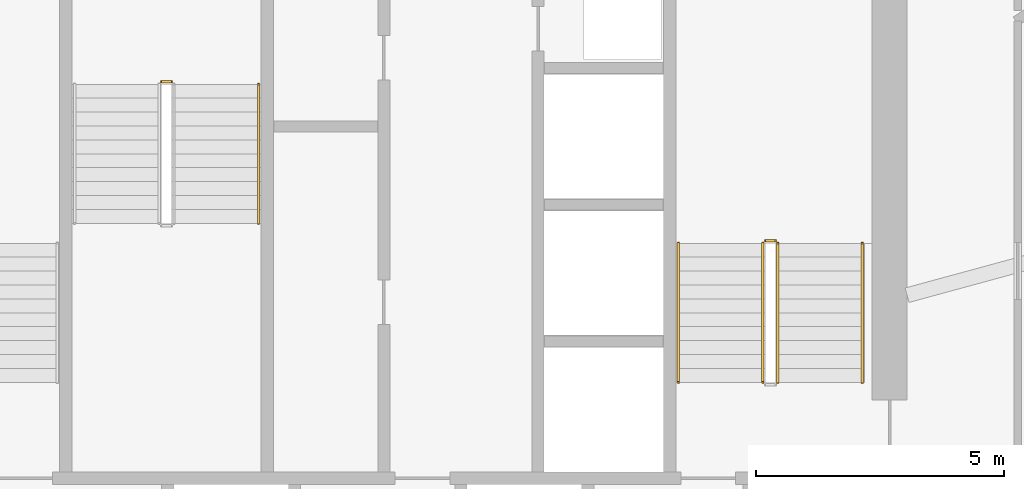
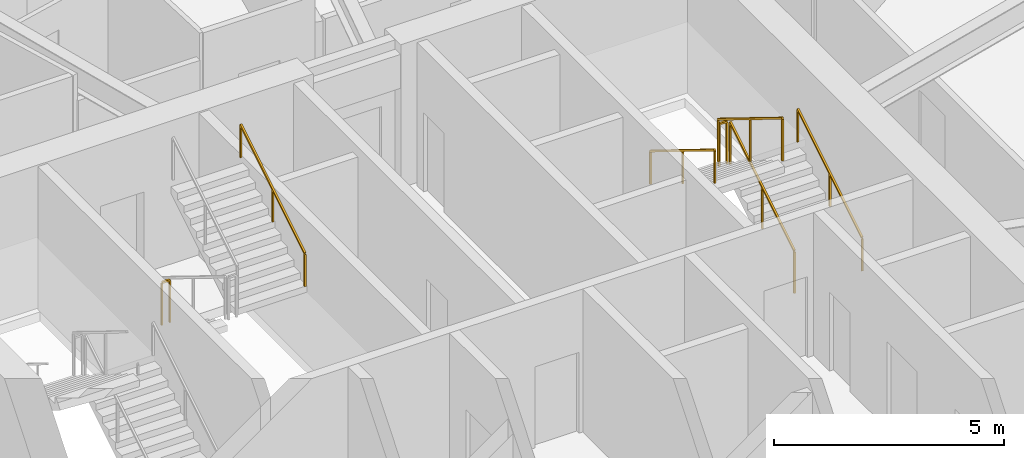
# One storey, part 32 of 32: 7 railings.
"""IFC4 building model written with IfcOpenShell, lengths in metres."""

from ifc_helpers import new_model, si_unit, direction, frame, origin, origin_2d, place, context, subcontext, project, spatial, rectangle, extrude, material, type_object, element, save


model = new_model("IFC4")

# Units and contexts
model_context = context("Model", 3, precision=1e-05, world=origin(), true_north=direction((0.0, 1.0)))
body_context = subcontext(model_context, "Body", "Model", "MODEL_VIEW")
ifc_project = project(units=[si_unit("LENGTHUNIT", "METRE"), si_unit("AREAUNIT", "SQUARE_METRE"), si_unit("VOLUMEUNIT", "CUBIC_METRE"), si_unit("PLANEANGLEUNIT", "RADIAN"), si_unit("MASSUNIT", "GRAM", prefix="KILO")], contexts=[model_context])

# Site, building, storey
site_placement = place(None, origin())
site = spatial("IfcSite", under=ifc_project, at=site_placement, CompositionType="ELEMENT")
building_placement = place(site_placement, origin())
building = spatial("IfcBuilding", under=site, at=building_placement, Name="Zuhravey Tower", CompositionType="ELEMENT")
storey_placement = place(building_placement, frame((0.0, 0.0, 119.0)))
storey = spatial("IfcBuildingStorey", under=building, at=storey_placement, Name="L29", CompositionType="ELEMENT", Elevation=119.0)

# Railings
ifc_material_1 = material(Name="Brushed stainless steel", Category="steel")
railing_type_1 = type_object("IfcRailingType", Name="Stair Wall Handrail 900", PredefinedType="HANDRAIL", material=ifc_material_1)
railing_1_placement = place(storey_placement, frame((45.949951171875, 33.199951171875, 0.172607421875)))
element("IfcRailing", 1, at=railing_1_placement, inside=storey, type_object=railing_type_1, Name="L29 ST2 stair handrail 1", PredefinedType="HANDRAIL", context=body_context, shape_type="SweptSolid", body=[
    extrude(rectangle(XDim=0.048095703125, YDim=0.048095703125, at=origin_2d()), frame((0.0, 0.001708984375, 0.876953125), z_axis=(0.0, 0.851089632645, 0.525020415988), x_axis=(-1.0, 0.0, 0.0)), (0.0, 0.0, 1.0), 3.285888671875),
    extrude(rectangle(XDim=0.0419921875, YDim=0.0419921875, at=origin_2d()), origin(), (0.0, 0.0, 1.0), 0.849853515625),
    extrude(rectangle(XDim=0.0419921875, YDim=0.0419921875, at=origin_2d()), frame((0.0, 1.39990234375, 0.86376953125)), (0.0, 0.0, 1.0), 0.849853515625),
    extrude(rectangle(XDim=0.0419921875, YDim=0.0419921875, at=origin_2d()), frame((0.0, 2.800048828125, 1.727294921875)), (0.0, 0.0, 1.0), 0.849853515625),
])
railing_2_placement = place(storey_placement, frame((42.25, 36.0, 2.07275390625)))
element("IfcRailing", 2, at=railing_2_placement, inside=storey, type_object=railing_type_1, Name="L29 ST2 stair handrail 2", PredefinedType="HANDRAIL", context=body_context, shape_type="SweptSolid", body=[
    extrude(rectangle(XDim=0.048095703125, YDim=0.048095703125, at=origin_2d()), frame((0.0, -0.001708984375, 0.876953125), z_axis=(0.0, -0.851089632645, 0.525020415988), x_axis=(1.0, 0.0, 0.0)), (0.0, 0.0, 1.0), 3.285888671875),
    extrude(rectangle(XDim=0.0419921875, YDim=0.0419921875, at=origin_2d()), origin(), (0.0, 0.0, 1.0), 0.849853515625),
    extrude(rectangle(XDim=0.0419921875, YDim=0.0419921875, at=origin_2d()), frame((0.0, -1.39990234375, 0.86376953125)), (0.0, 0.0, 1.0), 0.849853515625),
    extrude(rectangle(XDim=0.0419921875, YDim=0.0419921875, at=origin_2d()), frame((0.0, -2.800048828125, 1.727294921875)), (0.0, 0.0, 1.0), 0.849853515625),
])
railing_3_placement = place(storey_placement, frame((33.800048828125, 36.39990234375, 2.07275390625)))
element("IfcRailing", 3, at=railing_3_placement, inside=storey, type_object=railing_type_1, Name="L29 ST3 stair handrail 2", PredefinedType="HANDRAIL", context=body_context, shape_type="SweptSolid", body=[
    extrude(rectangle(XDim=0.048095703125, YDim=0.048095703125, at=origin_2d()), frame((0.0, 0.001708984375, 0.876953125), z_axis=(0.0, 0.851089632645, 0.525020415988), x_axis=(-1.0, 0.0, 0.0)), (0.0, 0.0, 1.0), 3.285888671875),
    extrude(rectangle(XDim=0.0419921875, YDim=0.0419921875, at=origin_2d()), origin(), (0.0, 0.0, 1.0), 0.849853515625),
    extrude(rectangle(XDim=0.0419921875, YDim=0.0419921875, at=origin_2d()), frame((0.0, 1.39990234375, 0.86376953125)), (0.0, 0.0, 1.0), 0.849853515625),
    extrude(rectangle(XDim=0.0419921875, YDim=0.0419921875, at=origin_2d()), frame((0.0, 2.800048828125, 1.727294921875)), (0.0, 0.0, 1.0), 0.849853515625),
])
ifc_material_2 = material(Name="Painted tubular steel", Category="steel")
railing_type_2 = type_object("IfcRailingType", Name="Stair Well Guardrail 1150", PredefinedType="GUARDRAIL", material=ifc_material_2)
railing_4_placement = place(storey_placement, frame((44.25, 33.199951171875, 0.172607421875)))
element("IfcRailing", 4, at=railing_4_placement, inside=storey, type_object=railing_type_2, Name="L29 ST2 stair guard 1", PredefinedType="GUARDRAIL", context=body_context, shape_type="SweptSolid", body=[
    extrude(rectangle(XDim=0.048095703125, YDim=0.048095703125, at=origin_2d()), frame((0.0, 0.001708984375, 1.126953125), z_axis=(0.0, 0.851089632645, 0.525020415988), x_axis=(-1.0, 0.0, 0.0)), (0.0, 0.0, 1.0), 3.285888671875),
    extrude(rectangle(XDim=0.0419921875, YDim=0.0419921875, at=origin_2d()), origin(), (0.0, 0.0, 1.0), 1.099853515625),
    extrude(rectangle(XDim=0.0419921875, YDim=0.0419921875, at=origin_2d()), frame((0.0, 1.39990234375, 0.86376953125)), (0.0, 0.0, 1.0), 1.099853515625),
    extrude(rectangle(XDim=0.0419921875, YDim=0.0419921875, at=origin_2d()), frame((0.0, 2.800048828125, 1.727294921875)), (0.0, 0.0, 1.0), 1.099853515625),
])
railing_5_placement = place(storey_placement, frame((44.199951171875, 36.050048828125, 1.89990234375)))
element("IfcRailing", 5, at=railing_5_placement, inside=storey, type_object=railing_type_2, Name="L29 ST2 stair guard 2", PredefinedType="GUARDRAIL", context=body_context, shape_type="SweptSolid", body=[
    extrude(rectangle(XDim=0.048095703125, YDim=0.048095703125, at=origin_2d()), frame((-0.001953125, 0.0, 1.1259765625), z_axis=(-1.0, 0.0, 0.0), x_axis=(0.0, -1.0, 0.0)), (0.0, 0.0, 1.0), 0.196044921875),
    extrude(rectangle(XDim=0.0419921875, YDim=0.0419921875, at=origin_2d()), origin(), (0.0, 0.0, 1.0), 1.099853515625),
    extrude(rectangle(XDim=0.0419921875, YDim=0.0419921875, at=origin_2d()), frame((-0.199951171875, 0.0, 0.0)), (0.0, 0.0, 1.0), 1.099853515625),
])
railing_6_placement = place(storey_placement, frame((43.949951171875, 36.0, 2.07275390625)))
element("IfcRailing", 6, at=railing_6_placement, inside=storey, type_object=railing_type_2, Name="L29 ST2 stair guard 3", PredefinedType="GUARDRAIL", context=body_context, shape_type="SweptSolid", body=[
    extrude(rectangle(XDim=0.048095703125, YDim=0.048095703125, at=origin_2d()), frame((0.0, -0.001708984375, 1.126953125), z_axis=(0.0, -0.851089632645, 0.525020415988), x_axis=(1.0, 0.0, 0.0)), (0.0, 0.0, 1.0), 3.285888671875),
    extrude(rectangle(XDim=0.0419921875, YDim=0.0419921875, at=origin_2d()), origin(), (0.0, 0.0, 1.0), 1.099853515625),
    extrude(rectangle(XDim=0.0419921875, YDim=0.0419921875, at=origin_2d()), frame((0.0, -1.39990234375, 0.86376953125)), (0.0, 0.0, 1.0), 1.099853515625),
    extrude(rectangle(XDim=0.0419921875, YDim=0.0419921875, at=origin_2d()), frame((0.0, -2.800048828125, 1.727294921875)), (0.0, 0.0, 1.0), 1.099853515625),
])
railing_7_placement = place(storey_placement, frame((31.85009765625, 39.25, 0.0)))
element("IfcRailing", 7, at=railing_7_placement, inside=storey, type_object=railing_type_2, Name="L29 ST3 stair guard 4", PredefinedType="GUARDRAIL", context=body_context, shape_type="SweptSolid", body=[
    extrude(rectangle(XDim=0.048095703125, YDim=0.048095703125, at=origin_2d()), frame((0.001953125, 0.0, 1.1259765625), z_axis=(1.0, 0.0, 0.0), x_axis=(0.0, 1.0, 0.0)), (0.0, 0.0, 1.0), 0.196044921875),
    extrude(rectangle(XDim=0.0419921875, YDim=0.0419921875, at=origin_2d()), origin(), (0.0, 0.0, 1.0), 1.099853515625),
    extrude(rectangle(XDim=0.0419921875, YDim=0.0419921875, at=origin_2d()), frame((0.199951171875, 0.0, 0.0)), (0.0, 0.0, 1.0), 1.099853515625),
])

save(model, "model.ifc")
